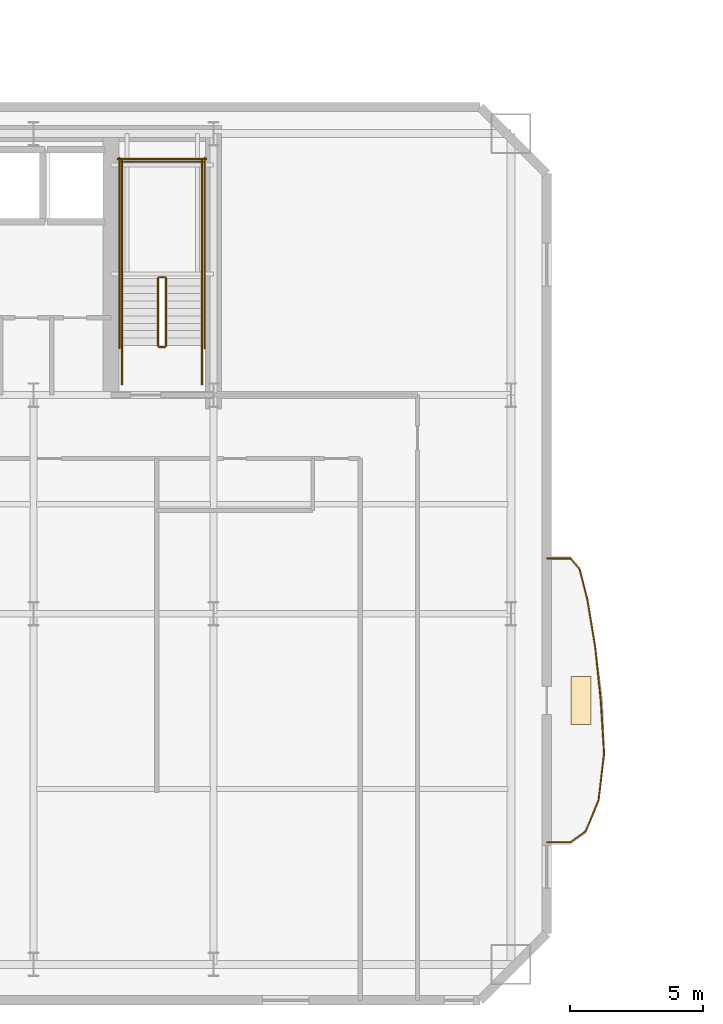
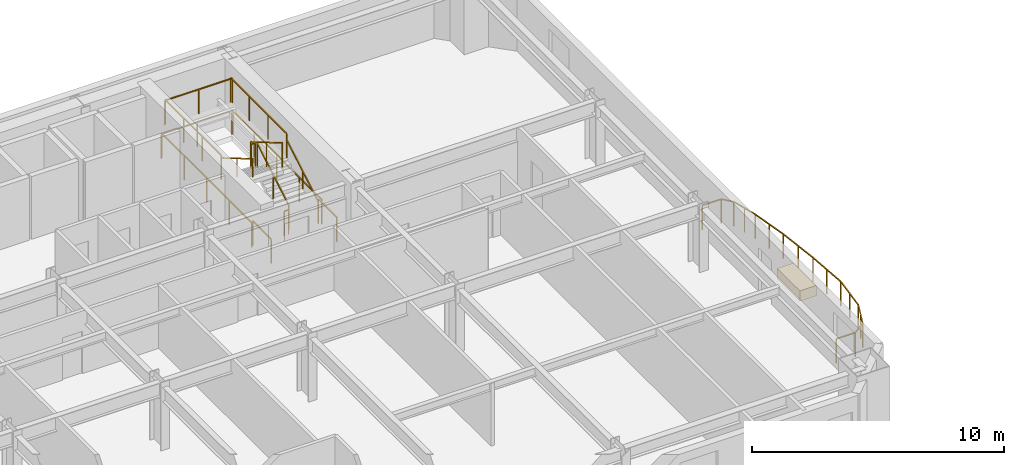
# One storey, part 13 of 15: 24 railings, 1 covering.
"""IFC4 building model written with IfcOpenShell, lengths in metres."""

from ifc_helpers import new_model, si_unit, direction, frame, origin, origin_2d, place, context, subcontext, project, spatial, rectangle, extrude, material, layer, layer_set, type_object, element, save


model = new_model("IFC4")

# Units and contexts
model_context = context("Model", 3, precision=1e-05, world=origin(), true_north=direction((0.0, 1.0)))
body_context = subcontext(model_context, "Body", "Model", "MODEL_VIEW")
ifc_project = project(units=[si_unit("LENGTHUNIT", "METRE"), si_unit("AREAUNIT", "SQUARE_METRE"), si_unit("VOLUMEUNIT", "CUBIC_METRE"), si_unit("PLANEANGLEUNIT", "RADIAN"), si_unit("MASSUNIT", "GRAM", prefix="KILO")], contexts=[model_context])

# Site, building, storey
site_placement = place(None, origin())
site = spatial("IfcSite", under=ifc_project, at=site_placement, CompositionType="ELEMENT")
building_placement = place(site_placement, origin())
building = spatial("IfcBuilding", under=site, at=building_placement, Name="Haevon Station Towers", CompositionType="ELEMENT")
storey_placement = place(building_placement, frame((0.0, 0.0, 63.60009765625)))
storey = spatial("IfcBuildingStorey", under=building, at=storey_placement, Name="L16", CompositionType="ELEMENT", Elevation=63.60009765625)

# Railings
ifc_material_1 = material(Name="Steel S355", Category="steel")
railing_type_1 = type_object("IfcRailingType", Name="GRD-EXT1200", PredefinedType="GUARDRAIL", material=ifc_material_1)
railing_1_placement = place(storey_placement, frame((63.5234375, 21.427734375, 0.0)))
element("IfcRailing", 1, at=railing_1_placement, inside=storey, type_object=railing_type_1, Name="L16 Perimeter Guardrail 1", PredefinedType="GUARDRAIL", context=body_context, shape_type="SweptSolid", body=[
    extrude(rectangle(XDim=0.048095703125, YDim=0.048095703125, at=origin_2d()), frame((0.0, 0.0, 1.17578125), z_axis=(0.999997476494, 0.002246554286, 0.0), x_axis=(-0.002246554286, 0.999997476494, 0.0)), (0.0, 0.0, 1.0), 0.869384765625),
    extrude(rectangle(XDim=0.0419921875, YDim=0.0419921875, at=origin_2d()), origin(), (0.0, 0.0, 1.0), 1.15185546875),
    extrude(rectangle(XDim=0.0419921875, YDim=0.0419921875, at=origin_2d()), frame((0.869384765625, 0.001953125, 0.0)), (0.0, 0.0, 1.0), 1.15185546875),
])
railing_2_placement = place(storey_placement, frame((64.392822265625, 21.4296875, 0.0)))
element("IfcRailing", 2, at=railing_2_placement, inside=storey, type_object=railing_type_1, Name="L16 Perimeter Guardrail 2", PredefinedType="GUARDRAIL", context=body_context, shape_type="SweptSolid", body=[
    extrude(rectangle(XDim=0.048095703125, YDim=0.048095703125, at=origin_2d()), frame((0.0, 0.0, 1.17578125), z_axis=(0.812092296848, 0.583529006477, 0.0), x_axis=(-0.583529006477, 0.812092296848, 0.0)), (0.0, 0.0, 1.0), 0.705078125),
    extrude(rectangle(XDim=0.0419921875, YDim=0.0419921875, at=origin_2d()), origin(), (0.0, 0.0, 1.0), 1.15185546875),
    extrude(rectangle(XDim=0.0419921875, YDim=0.0419921875, at=origin_2d()), frame((0.572509765625, 0.411376953125, 0.0)), (0.0, 0.0, 1.0), 1.15185546875),
])
railing_3_placement = place(storey_placement, frame((64.96533203125, 21.841064453125, 0.0)))
element("IfcRailing", 3, at=railing_3_placement, inside=storey, type_object=railing_type_1, Name="L16 Perimeter Guardrail 3", PredefinedType="GUARDRAIL", context=body_context, shape_type="SweptSolid", body=[
    extrude(rectangle(XDim=0.048095703125, YDim=0.048095703125, at=origin_2d()), frame((0.0, 0.0, 1.17578125), z_axis=(0.379535160999, 0.925177313581, 0.0), x_axis=(-0.925177313581, 0.379535160999, 0.0)), (0.0, 0.0, 1.0), 1.263916015625),
    extrude(rectangle(XDim=0.0419921875, YDim=0.0419921875, at=origin_2d()), origin(), (0.0, 0.0, 1.0), 1.15185546875),
    extrude(rectangle(XDim=0.0419921875, YDim=0.0419921875, at=origin_2d()), frame((0.23974609375, 0.584716796875, 0.0)), (0.0, 0.0, 1.0), 1.15185546875),
    extrude(rectangle(XDim=0.0419921875, YDim=0.0419921875, at=origin_2d()), frame((0.479736328125, 1.16943359375, 0.0)), (0.0, 0.0, 1.0), 1.15185546875),
])
railing_4_placement = place(storey_placement, frame((65.445068359375, 23.010498046875, 0.0)))
element("IfcRailing", 4, at=railing_4_placement, inside=storey, type_object=railing_type_1, Name="L16 Perimeter Guardrail 4", PredefinedType="GUARDRAIL", context=body_context, shape_type="SweptSolid", body=[
    extrude(rectangle(XDim=0.048095703125, YDim=0.048095703125, at=origin_2d()), frame((0.0, 0.0, 1.17578125), z_axis=(0.117590336191, 0.993062189812, 0.0), x_axis=(-0.993062189812, 0.117590336191, 0.0)), (0.0, 0.0, 1.0), 1.758544921875),
    extrude(rectangle(XDim=0.0419921875, YDim=0.0419921875, at=origin_2d()), origin(), (0.0, 0.0, 1.0), 1.15185546875),
    extrude(rectangle(XDim=0.0419921875, YDim=0.0419921875, at=origin_2d()), frame((0.103515625, 0.873046875, 0.0)), (0.0, 0.0, 1.0), 1.15185546875),
    extrude(rectangle(XDim=0.0419921875, YDim=0.0419921875, at=origin_2d()), frame((0.206787109375, 1.746337890625, 0.0)), (0.0, 0.0, 1.0), 1.15185546875),
])
railing_5_placement = place(storey_placement, frame((65.65185546875, 24.7568359375, 0.0)))
element("IfcRailing", 5, at=railing_5_placement, inside=storey, type_object=railing_type_1, Name="L16 Perimeter Guardrail 5", PredefinedType="GUARDRAIL", context=body_context, shape_type="SweptSolid", body=[
    extrude(rectangle(XDim=0.048095703125, YDim=0.048095703125, at=origin_2d()), frame((0.0, 0.0, 1.17578125), z_axis=(-0.06356545678, 0.997977671446, 0.0), x_axis=(-0.997977671446, -0.06356545678, 0.0)), (0.0, 0.0, 1.0), 1.997314453125),
    extrude(rectangle(XDim=0.0419921875, YDim=0.0419921875, at=origin_2d()), origin(), (0.0, 0.0, 1.0), 1.15185546875),
    extrude(rectangle(XDim=0.0419921875, YDim=0.0419921875, at=origin_2d()), frame((-0.0634765625, 0.99658203125, 0.0)), (0.0, 0.0, 1.0), 1.15185546875),
    extrude(rectangle(XDim=0.0419921875, YDim=0.0419921875, at=origin_2d()), frame((-0.126953125, 1.9931640625, 0.0)), (0.0, 0.0, 1.0), 1.15185546875),
])
railing_6_placement = place(storey_placement, frame((65.52490234375, 26.75, 0.0)))
element("IfcRailing", 6, at=railing_6_placement, inside=storey, type_object=railing_type_1, Name="L16 Perimeter Guardrail 6", PredefinedType="GUARDRAIL", context=body_context, shape_type="SweptSolid", body=[
    extrude(rectangle(XDim=0.048095703125, YDim=0.048095703125, at=origin_2d()), frame((0.0, 0.0, 1.17578125), z_axis=(-0.102549270738, 0.994727926154, 0.0), x_axis=(-0.994727926154, -0.102549270738, 0.0)), (0.0, 0.0, 1.0), 1.999755859375),
    extrude(rectangle(XDim=0.0419921875, YDim=0.0419921875, at=origin_2d()), origin(), (0.0, 0.0, 1.0), 1.15185546875),
    extrude(rectangle(XDim=0.0419921875, YDim=0.0419921875, at=origin_2d()), frame((-0.1025390625, 0.99462890625, 0.0)), (0.0, 0.0, 1.0), 1.15185546875),
    extrude(rectangle(XDim=0.0419921875, YDim=0.0419921875, at=origin_2d()), frame((-0.205078125, 1.9892578125, 0.0)), (0.0, 0.0, 1.0), 1.15185546875),
])
railing_7_placement = place(storey_placement, frame((65.31982421875, 28.7392578125, 0.0)))
element("IfcRailing", 7, at=railing_7_placement, inside=storey, type_object=railing_type_1, Name="L16 Perimeter Guardrail 7", PredefinedType="GUARDRAIL", context=body_context, shape_type="SweptSolid", body=[
    extrude(rectangle(XDim=0.048095703125, YDim=0.048095703125, at=origin_2d()), frame((0.0, 0.0, 1.17578125), z_axis=(-0.162232317079, 0.986752590721, 0.0), x_axis=(-0.986752590721, -0.162232317079, 0.0)), (0.0, 0.0, 1.0), 1.772705078125),
    extrude(rectangle(XDim=0.0419921875, YDim=0.0419921875, at=origin_2d()), origin(), (0.0, 0.0, 1.0), 1.15185546875),
    extrude(rectangle(XDim=0.0419921875, YDim=0.0419921875, at=origin_2d()), frame((-0.143798828125, 0.87451171875, 0.0)), (0.0, 0.0, 1.0), 1.15185546875),
    extrude(rectangle(XDim=0.0419921875, YDim=0.0419921875, at=origin_2d()), frame((-0.28759765625, 1.749267578125, 0.0)), (0.0, 0.0, 1.0), 1.15185546875),
])
railing_8_placement = place(storey_placement, frame((65.0322265625, 30.488525390625, 0.0)))
element("IfcRailing", 8, at=railing_8_placement, inside=storey, type_object=railing_type_1, Name="L16 Perimeter Guardrail 8", PredefinedType="GUARDRAIL", context=body_context, shape_type="SweptSolid", body=[
    extrude(rectangle(XDim=0.048095703125, YDim=0.048095703125, at=origin_2d()), frame((0.0, 0.0, 1.17578125), z_axis=(-0.243202070488, 0.969975645524, 0.0), x_axis=(-0.969975645524, -0.243202070488, 0.0)), (0.0, 0.0, 1.0), 1.20654296875),
    extrude(rectangle(XDim=0.0419921875, YDim=0.0419921875, at=origin_2d()), origin(), (0.0, 0.0, 1.0), 1.15185546875),
    extrude(rectangle(XDim=0.0419921875, YDim=0.0419921875, at=origin_2d()), frame((-0.146728515625, 0.585205078125, 0.0)), (0.0, 0.0, 1.0), 1.15185546875),
    extrude(rectangle(XDim=0.0419921875, YDim=0.0419921875, at=origin_2d()), frame((-0.29345703125, 1.17041015625, 0.0)), (0.0, 0.0, 1.0), 1.15185546875),
])
railing_9_placement = place(storey_placement, frame((64.73876953125, 31.658935546875, 0.0)))
element("IfcRailing", 9, at=railing_9_placement, inside=storey, type_object=railing_type_1, Name="L16 Perimeter Guardrail 9", PredefinedType="GUARDRAIL", context=body_context, shape_type="SweptSolid", body=[
    extrude(rectangle(XDim=0.048095703125, YDim=0.048095703125, at=origin_2d()), frame((0.0, 0.0, 1.17578125), z_axis=(-0.643618076679, 0.765346830772, 0.0), x_axis=(-0.765346830772, -0.643618076679, 0.0)), (0.0, 0.0, 1.0), 0.53759765625),
    extrude(rectangle(XDim=0.0419921875, YDim=0.0419921875, at=origin_2d()), origin(), (0.0, 0.0, 1.0), 1.15185546875),
    extrude(rectangle(XDim=0.0419921875, YDim=0.0419921875, at=origin_2d()), frame((-0.345947265625, 0.411376953125, 0.0)), (0.0, 0.0, 1.0), 1.15185546875),
])
railing_10_placement = place(storey_placement, frame((64.392822265625, 32.0703125, 0.0)))
element("IfcRailing", 10, at=railing_10_placement, inside=storey, type_object=railing_type_1, Name="L16 Perimeter Guardrail 10", PredefinedType="GUARDRAIL", context=body_context, shape_type="SweptSolid", body=[
    extrude(rectangle(XDim=0.048095703125, YDim=0.048095703125, at=origin_2d()), frame((0.0, 0.0, 1.17578125), z_axis=(-0.999997476494, 0.002246554286, 0.0), x_axis=(-0.002246554286, -0.999997476494, 0.0)), (0.0, 0.0, 1.0), 0.869384765625),
    extrude(rectangle(XDim=0.0419921875, YDim=0.0419921875, at=origin_2d()), origin(), (0.0, 0.0, 1.0), 1.15185546875),
    extrude(rectangle(XDim=0.0419921875, YDim=0.0419921875, at=origin_2d()), frame((-0.869384765625, 0.001953125, 0.0)), (0.0, 0.0, 1.0), 1.15185546875),
])
railing_type_2 = type_object("IfcRailingType", Name="GRD-STR1200", PredefinedType="GUARDRAIL", material=ifc_material_1)
railing_11_placement = place(storey_placement, frame((49.219970703125, 40.050048828125, 0.164794921875)))
element("IfcRailing", 11, at=railing_11_placement, inside=storey, type_object=railing_type_2, Name="L16 ST2 Stair Guard 1", PredefinedType="GUARDRAIL", context=body_context, shape_type="SweptSolid", body=[
    extrude(rectangle(XDim=0.048095703125, YDim=0.048095703125, at=origin_2d()), frame((0.0, 0.0, 1.17578125), z_axis=(0.0, 0.86152411907, 0.507716645641), x_axis=(-1.0, 0.0, 0.0)), (0.0, 0.0, 1.0), 2.925048828125),
    extrude(rectangle(XDim=0.0419921875, YDim=0.0419921875, at=origin_2d()), origin(), (0.0, 0.0, 1.0), 1.15185546875),
    extrude(rectangle(XDim=0.0419921875, YDim=0.0419921875, at=origin_2d()), frame((0.0, 1.260009765625, 0.74267578125)), (0.0, 0.0, 1.0), 1.15185546875),
    extrude(rectangle(XDim=0.0419921875, YDim=0.0419921875, at=origin_2d()), frame((0.0, 2.52001953125, 1.485107421875)), (0.0, 0.0, 1.0), 1.15185546875),
])
railing_12_placement = place(storey_placement, frame((49.169921875, 42.6201171875, 1.64990234375)))
element("IfcRailing", 12, at=railing_12_placement, inside=storey, type_object=railing_type_2, Name="L16 ST2 Stair Guard 2", PredefinedType="GUARDRAIL", context=body_context, shape_type="SweptSolid", body=[
    extrude(rectangle(XDim=0.048095703125, YDim=0.048095703125, at=origin_2d()), frame((0.0, 0.0, 1.17578125), z_axis=(-1.0, 0.0, 0.0), x_axis=(0.0, -1.0, 0.0)), (0.0, 0.0, 1.0), 0.199951171875),
    extrude(rectangle(XDim=0.0419921875, YDim=0.0419921875, at=origin_2d()), origin(), (0.0, 0.0, 1.0), 1.15185546875),
    extrude(rectangle(XDim=0.0419921875, YDim=0.0419921875, at=origin_2d()), frame((-0.199951171875, 0.0, 0.0)), (0.0, 0.0, 1.0), 1.15185546875),
])
for number, where, name in (
    (13, (50.570068359375, 42.570068359375, 1.64990234375), "L16 ST2 Stair Guard 3"),
    (14, (47.570068359375, 42.570068359375, 1.64990234375), "L16 ST2 Stair Guard 4"),
):
    element("IfcRailing", number, at=place(storey_placement, frame(where)), inside=storey, type_object=railing_type_2, Name=name, PredefinedType="GUARDRAIL", context=body_context, shape_type="SweptSolid", body=[
        extrude(rectangle(XDim=0.048095703125, YDim=0.048095703125, at=origin_2d()), frame((0.0, 0.0, 1.17578125), z_axis=(0.0, 1.0, 0.0), x_axis=(-1.0, 0.0, 0.0)), (0.0, 0.0, 1.0), 4.429931640625),
        extrude(rectangle(XDim=0.0419921875, YDim=0.0419921875, at=origin_2d()), origin(), (0.0, 0.0, 1.0), 1.15185546875),
        extrude(rectangle(XDim=0.0419921875, YDim=0.0419921875, at=origin_2d()), frame((0.0, 1.4765625, 0.0)), (0.0, 0.0, 1.0), 1.15185546875),
        extrude(rectangle(XDim=0.0419921875, YDim=0.0419921875, at=origin_2d()), frame((0.0, 2.953369140625, 0.0)), (0.0, 0.0, 1.0), 1.15185546875),
        extrude(rectangle(XDim=0.0419921875, YDim=0.0419921875, at=origin_2d()), frame((0.0, 4.429931640625, 0.0)), (0.0, 0.0, 1.0), 1.15185546875),
    ])
railing_13_placement = place(storey_placement, frame((50.6201171875, 46.949951171875, 1.64990234375)))
element("IfcRailing", 15, at=railing_13_placement, inside=storey, type_object=railing_type_2, Name="L16 ST2 Stair Guard 5", PredefinedType="GUARDRAIL", context=body_context, shape_type="SweptSolid", body=[
    extrude(rectangle(XDim=0.048095703125, YDim=0.048095703125, at=origin_2d()), frame((0.0, 0.0, 1.17578125), z_axis=(-1.0, 0.0, 0.0), x_axis=(0.0, -1.0, 0.0)), (0.0, 0.0, 1.0), 3.10009765625),
    extrude(rectangle(XDim=0.0419921875, YDim=0.0419921875, at=origin_2d()), origin(), (0.0, 0.0, 1.0), 1.15185546875),
    extrude(rectangle(XDim=0.0419921875, YDim=0.0419921875, at=origin_2d()), frame((-1.550048828125, 0.0, 0.0)), (0.0, 0.0, 1.0), 1.15185546875),
    extrude(rectangle(XDim=0.0419921875, YDim=0.0419921875, at=origin_2d()), frame((-3.10009765625, 0.0, 0.0)), (0.0, 0.0, 1.0), 1.15185546875),
])
railing_14_placement = place(storey_placement, frame((48.919921875, 42.570068359375, 1.81494140625)))
element("IfcRailing", 16, at=railing_14_placement, inside=storey, type_object=railing_type_2, Name="L16 ST2 Stair Guard 6", PredefinedType="GUARDRAIL", context=body_context, shape_type="SweptSolid", body=[
    extrude(rectangle(XDim=0.048095703125, YDim=0.048095703125, at=origin_2d()), frame((0.0, 0.0, 1.17578125), z_axis=(0.0, -0.861560626758, 0.507654692109), x_axis=(1.0, 0.0, 0.0)), (0.0, 0.0, 1.0), 2.925048828125),
    extrude(rectangle(XDim=0.0419921875, YDim=0.0419921875, at=origin_2d()), origin(), (0.0, 0.0, 1.0), 1.15185546875),
    extrude(rectangle(XDim=0.0419921875, YDim=0.0419921875, at=origin_2d()), frame((0.0, -1.260009765625, 0.742431640625)), (0.0, 0.0, 1.0), 1.15185546875),
    extrude(rectangle(XDim=0.0419921875, YDim=0.0419921875, at=origin_2d()), frame((0.0, -2.52001953125, 1.48486328125)), (0.0, 0.0, 1.0), 1.15185546875),
])
railing_15_placement = place(storey_placement, frame((49.169921875, 40.0, 0.0)))
element("IfcRailing", 17, at=railing_15_placement, inside=storey, type_object=railing_type_2, Name="L16 ST2 Stair Guard 7", PredefinedType="GUARDRAIL", context=body_context, shape_type="SweptSolid", body=[
    extrude(rectangle(XDim=0.048095703125, YDim=0.048095703125, at=origin_2d()), frame((0.0, 0.0, 1.17578125), z_axis=(-1.0, 0.0, 0.0), x_axis=(0.0, -1.0, 0.0)), (0.0, 0.0, 1.0), 0.199951171875),
    extrude(rectangle(XDim=0.0419921875, YDim=0.0419921875, at=origin_2d()), origin(), (0.0, 0.0, 1.0), 1.15185546875),
    extrude(rectangle(XDim=0.0419921875, YDim=0.0419921875, at=origin_2d()), frame((-0.199951171875, 0.0, 0.0)), (0.0, 0.0, 1.0), 1.15185546875),
])
for number, where, name in (
    (18, (50.570068359375, 38.60009765625, 0.0), "L16 ST2 Stair Guard 8"),
    (19, (47.570068359375, 38.60009765625, 0.0), "L16 ST2 Stair Guard 9"),
):
    element("IfcRailing", number, at=place(storey_placement, frame(where)), inside=storey, type_object=railing_type_2, Name=name, PredefinedType="GUARDRAIL", context=body_context, shape_type="SweptSolid", body=[
        extrude(rectangle(XDim=0.048095703125, YDim=0.048095703125, at=origin_2d()), frame((0.0, 0.0, 1.17578125), z_axis=(0.0, 1.0, 0.0), x_axis=(-1.0, 0.0, 0.0)), (0.0, 0.0, 1.0), 1.449951171875),
        extrude(rectangle(XDim=0.0419921875, YDim=0.0419921875, at=origin_2d()), origin(), (0.0, 0.0, 1.0), 1.15185546875),
        extrude(rectangle(XDim=0.0419921875, YDim=0.0419921875, at=origin_2d()), frame((0.0, 1.449951171875, 0.0)), (0.0, 0.0, 1.0), 1.15185546875),
    ])
for number, where, name in (
    (20, (50.669921875, 39.949951171875, 0.0), "L16 ST2 Stair Guard 10"),
    (21, (47.469970703125, 39.949951171875, 0.0), "L16 ST2 Stair Guard 11"),
):
    element("IfcRailing", number, at=place(storey_placement, frame(where)), inside=storey, type_object=railing_type_2, Name=name, PredefinedType="GUARDRAIL", context=body_context, shape_type="SweptSolid", body=[
        extrude(rectangle(XDim=0.048095703125, YDim=0.048095703125, at=origin_2d()), frame((0.0, 0.0, 1.17578125), z_axis=(0.0, 1.0, 0.0), x_axis=(-1.0, 0.0, 0.0)), (0.0, 0.0, 1.0), 7.150146484375),
        extrude(rectangle(XDim=0.0419921875, YDim=0.0419921875, at=origin_2d()), origin(), (0.0, 0.0, 1.0), 1.15185546875),
        extrude(rectangle(XDim=0.0419921875, YDim=0.0419921875, at=origin_2d()), frame((0.0, 1.78759765625, 0.0)), (0.0, 0.0, 1.0), 1.15185546875),
        extrude(rectangle(XDim=0.0419921875, YDim=0.0419921875, at=origin_2d()), frame((0.0, 3.5751953125, 0.0)), (0.0, 0.0, 1.0), 1.15185546875),
        extrude(rectangle(XDim=0.0419921875, YDim=0.0419921875, at=origin_2d()), frame((0.0, 5.362548828125, 0.0)), (0.0, 0.0, 1.0), 1.15185546875),
        extrude(rectangle(XDim=0.0419921875, YDim=0.0419921875, at=origin_2d()), frame((0.0, 7.150146484375, 0.0)), (0.0, 0.0, 1.0), 1.15185546875),
    ])
railing_16_placement = place(storey_placement, frame((50.719970703125, 47.050048828125, 0.0)))
element("IfcRailing", 22, at=railing_16_placement, inside=storey, type_object=railing_type_2, Name="L16 ST2 Stair Guard 12", PredefinedType="GUARDRAIL", context=body_context, shape_type="SweptSolid", body=[
    extrude(rectangle(XDim=0.048095703125, YDim=0.048095703125, at=origin_2d()), frame((0.0, 0.0, 1.17578125), z_axis=(-1.0, 0.0, 0.0), x_axis=(0.0, -1.0, 0.0)), (0.0, 0.0, 1.0), 3.300048828125),
    extrude(rectangle(XDim=0.0419921875, YDim=0.0419921875, at=origin_2d()), origin(), (0.0, 0.0, 1.0), 1.15185546875),
    extrude(rectangle(XDim=0.0419921875, YDim=0.0419921875, at=origin_2d()), frame((-1.64990234375, 0.0, 0.0)), (0.0, 0.0, 1.0), 1.15185546875),
    extrude(rectangle(XDim=0.0419921875, YDim=0.0419921875, at=origin_2d()), frame((-3.300048828125, 0.0, 0.0)), (0.0, 0.0, 1.0), 1.15185546875),
])
railing_type_3 = type_object("IfcRailingType", Name="HND-STR900", PredefinedType="HANDRAIL", material=ifc_material_1)
railing_17_placement = place(storey_placement, frame((50.570068359375, 40.050048828125, 0.164794921875)))
element("IfcRailing", 23, at=railing_17_placement, inside=storey, type_object=railing_type_3, Name="L16 ST2 Stair Handrail 1", PredefinedType="HANDRAIL", context=body_context, shape_type="SweptSolid", body=[
    extrude(rectangle(XDim=0.048095703125, YDim=0.048095703125, at=origin_2d()), frame((0.0, 0.0, 0.8759765625), z_axis=(0.0, 0.86152411907, 0.507716645641), x_axis=(-1.0, 0.0, 0.0)), (0.0, 0.0, 1.0), 2.925048828125),
    extrude(rectangle(XDim=0.0419921875, YDim=0.0419921875, at=origin_2d()), origin(), (0.0, 0.0, 1.0), 0.851806640625),
    extrude(rectangle(XDim=0.0419921875, YDim=0.0419921875, at=origin_2d()), frame((0.0, 1.260009765625, 0.74267578125)), (0.0, 0.0, 1.0), 0.851806640625),
    extrude(rectangle(XDim=0.0419921875, YDim=0.0419921875, at=origin_2d()), frame((0.0, 2.52001953125, 1.485107421875)), (0.0, 0.0, 1.0), 0.851806640625),
])
railing_18_placement = place(storey_placement, frame((47.570068359375, 42.570068359375, 1.81494140625)))
element("IfcRailing", 24, at=railing_18_placement, inside=storey, type_object=railing_type_3, Name="L16 ST2 Stair Handrail 2", PredefinedType="HANDRAIL", context=body_context, shape_type="SweptSolid", body=[
    extrude(rectangle(XDim=0.048095703125, YDim=0.048095703125, at=origin_2d()), frame((0.0, 0.0, 0.8759765625), z_axis=(0.0, -0.861560626758, 0.507654692109), x_axis=(1.0, 0.0, 0.0)), (0.0, 0.0, 1.0), 2.925048828125),
    extrude(rectangle(XDim=0.0419921875, YDim=0.0419921875, at=origin_2d()), origin(), (0.0, 0.0, 1.0), 0.851806640625),
    extrude(rectangle(XDim=0.0419921875, YDim=0.0419921875, at=origin_2d()), frame((0.0, -1.260009765625, 0.742431640625)), (0.0, 0.0, 1.0), 0.851806640625),
    extrude(rectangle(XDim=0.0419921875, YDim=0.0419921875, at=origin_2d()), frame((0.0, -2.52001953125, 1.48486328125)), (0.0, 0.0, 1.0), 0.851806640625),
])

# Covering
ifc_material_2 = material(Name="Architectural planter GRC", Category="concrete")
ifc_layer = layer(ifc_material_2, 0.550048828125)
ifc_layer_set = layer_set([ifc_layer], Name="Architectural planter GRC")
covering_type = type_object("IfcCoveringType", Name="PLN-GRC550", PredefinedType="MOLDING", material=ifc_layer_set)
covering_placement = place(storey_placement, frame((64.783203125, 26.75, 0.0), z_axis=(0.0, 0.0, 1.0), x_axis=(1.0, 0.0, 0.0)))
element("IfcCovering", 25, at=covering_placement, inside=storey, type_object=covering_type, Name="Tower 1 L16 Scalloped Balcony PLANTER", PredefinedType="MOLDING", context=body_context, shape_type="SweptSolid", body=[
    extrude(rectangle(XDim=0.75, YDim=1.800048828125, at=origin_2d()), origin(), (0.0, 0.0, 1.0), 0.5),
])

save(model, "model.ifc")
